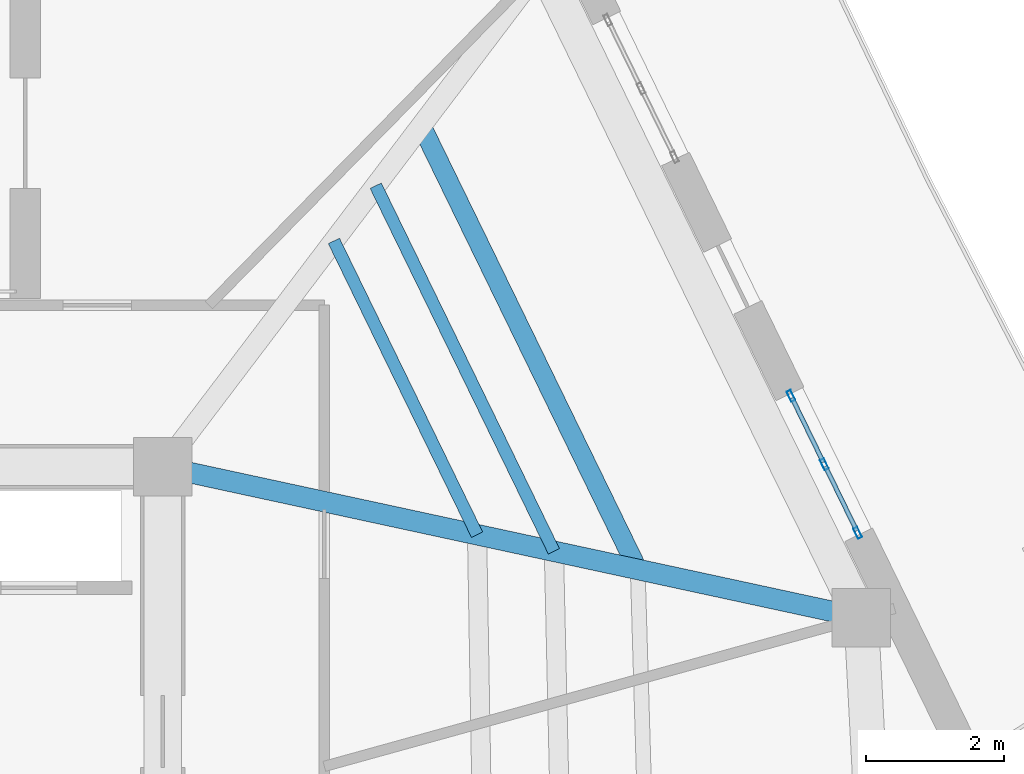
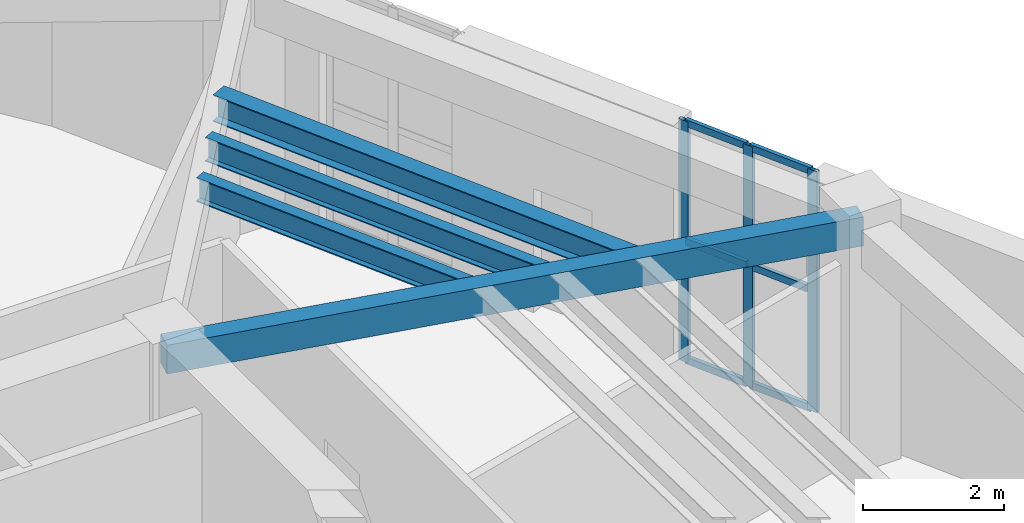
# One storey, part 6 of 15: 9 members, 4 beams, 1 element without a shape of its own.
"""IFC4 building model written with IfcOpenShell, lengths in metres."""

from ifc_helpers import new_model, si_unit, direction, frame, origin, origin_2d, place, context, subcontext, project, spatial, rectangle, hollow_rectangle, i_section, extrude, material, layer, layer_set, material_profile, profile_set, type_object, element, aggregate, save


model = new_model("IFC4")

# Units and contexts
model_context = context("Model", 3, precision=1e-05, world=origin(), true_north=direction((0.0, 1.0)))
body_context = subcontext(model_context, "Body", "Model", "MODEL_VIEW")
ifc_project = project(units=[si_unit("LENGTHUNIT", "METRE"), si_unit("AREAUNIT", "SQUARE_METRE"), si_unit("VOLUMEUNIT", "CUBIC_METRE"), si_unit("PLANEANGLEUNIT", "RADIAN"), si_unit("MASSUNIT", "GRAM", prefix="KILO")], contexts=[model_context])

# Site, building, storey
site_placement = place(None, origin())
site = spatial("IfcSite", under=ifc_project, at=site_placement, CompositionType="ELEMENT")
building_placement = place(site_placement, origin())
building = spatial("IfcBuilding", under=site, at=building_placement, Name="Kilnhurst Terrace Hotel", CompositionType="ELEMENT")
storey_placement = place(building_placement, frame((0.0, 0.0, 288.60009765625)))
storey = spatial("IfcBuildingStorey", under=building, at=storey_placement, Name="L72", CompositionType="ELEMENT", Elevation=288.60009765625)

# Beams
ifc_material_1 = material(Name="Concrete C50/60", Category="concrete")
ifc_material_profile_1 = material_profile(ifc_material_1, rectangle(XDim=0.300048828125, YDim=0.5, at=origin_2d()), Name="RC300X500")
ifc_profile_set_1 = profile_set([ifc_material_profile_1], Name="Concrete C50/60")
beam_type_1 = type_object("IfcBeamType", Name="BM-RAD-300X500", PredefinedType="BEAM", material=ifc_profile_set_1)
beam_1_placement = place(storey_placement, frame((9.0, 7.5, 3.929931640625), z_axis=(0.977438945995, -0.211218149913, 0.0), x_axis=(0.211218149913, 0.977438945995, 0.0)))
element("IfcBeam", 1, at=beam_1_placement, inside=storey, type_object=beam_type_1, Name="L72 Radial Floor Beam 5", PredefinedType="BEAM", context=body_context, shape_type="SweptSolid", body=[
    extrude(rectangle(XDim=0.300048828125, YDim=0.5, at=origin_2d()), origin(), (0.0, 0.0, 1.0), 10.392333984375),
])
ifc_material_2 = material(Name="Steel ASTM A992 Grade 50", Category="steel")
ifc_material_profile_2 = material_profile(ifc_material_2, i_section(OverallWidth=0.180908203125, OverallDepth=0.417236328125, WebThickness=0.010986328125, FlangeThickness=0.018310546875, at=origin_2d()), Name="W16X57")
ifc_profile_set_2 = profile_set([ifc_material_profile_2], Name="Steel ASTM A992 Grade 50")
beam_type_2 = type_object("IfcBeamType", Name="JST-STL-W16X57", PredefinedType="JOIST", material=ifc_profile_set_2)
beam_2_placement = place(storey_placement, frame((13.571044921875, 6.51220703125, 3.970947265625), z_axis=(-0.438107813647, 0.898922434708, 0.0), x_axis=(-0.898922434708, -0.438107813647, 0.0)))
element("IfcBeam", 2, at=beam_2_placement, inside=storey, type_object=beam_type_2, Name="L72 Secondary Floor Steel Joist IN.5", PredefinedType="JOIST", context=body_context, shape_type="SweptSolid", body=[
    extrude(i_section(OverallWidth=0.180908203125, OverallDepth=0.417236328125, WebThickness=0.010986328125, FlangeThickness=0.018310546875, at=origin_2d()), origin(), (0.0, 0.0, 1.0), 4.75244140625),
])
beam_3_placement = place(storey_placement, frame((14.6884765625, 6.270751953125, 3.970947265625), z_axis=(-0.438125112318, 0.898914003649, 0.0), x_axis=(-0.898914003649, -0.438125112318, 0.0)))
element("IfcBeam", 3, at=beam_3_placement, inside=storey, type_object=beam_type_2, Name="L72 Secondary Floor Steel Joist MID.5", PredefinedType="JOIST", context=body_context, shape_type="SweptSolid", body=[
    extrude(i_section(OverallWidth=0.180908203125, OverallDepth=0.417236328125, WebThickness=0.010986328125, FlangeThickness=0.018310546875, at=origin_2d()), origin(), (0.0, 0.0, 1.0), 5.9140625),
])
ifc_material_profile_3 = material_profile(ifc_material_2, i_section(OverallWidth=0.279296875, OverallDepth=0.462890625, WebThickness=0.0107421875, FlangeThickness=0.017333984375, at=origin_2d()), Name="W18X76")
ifc_profile_set_3 = profile_set([ifc_material_profile_3], Name="Steel ASTM A992 Grade 50")
beam_type_3 = type_object("IfcBeamType", Name="JST-STL-W18X76", PredefinedType="JOIST", material=ifc_profile_set_3)
beam_4_placement = place(storey_placement, frame((15.907470703125, 6.00732421875, 3.947998046875), z_axis=(-0.438147652742, 0.898903017237, 0.0), x_axis=(-0.898903017237, -0.438147652742, 0.0)))
element("IfcBeam", 4, at=beam_4_placement, inside=storey, type_object=beam_type_3, Name="L72 Secondary Floor Steel Joist OUT.5", PredefinedType="JOIST", context=body_context, shape_type="SweptSolid", body=[
    extrude(i_section(OverallWidth=0.279296875, OverallDepth=0.462890625, WebThickness=0.0107421875, FlangeThickness=0.017333984375, at=origin_2d()), origin(), (0.0, 0.0, 1.0), 7.181396484375),
])

# Curtain wall, members
ifc_material_3 = material(Name="Anodized Aluminium Alloy 6063-T6 and Low-E Glass", Category="aluminium")
ifc_layer = layer(ifc_material_3, 0.219970703125, Name="Anodized Aluminium Alloy 6063-T6 and Low-E Glass")
ifc_layer_set = layer_set([ifc_layer], Name="Anodized Aluminium Alloy 6063-T6 and Low-E Glass")
curtain_wall_type = type_object("IfcCurtainWallType", Name="CW-PORTAL-L72", PredefinedType="NOTDEFINED", material=ifc_layer_set)
curtain_wall_placement = place(storey_placement, origin())
curtain_wall = element("IfcCurtainWall", 5, at=curtain_wall_placement, inside=storey, type_object=curtain_wall_type, Name="L72 Curtain Wall CW-L72-F3-1", PredefinedType="NOTDEFINED")
ifc_material_4 = material(Name="Extruded Aluminium Alloy 6063-T6", Category="aluminium")
ifc_material_profile_4 = material_profile(ifc_material_4, hollow_rectangle(XDim=0.06494140625, YDim=0.1650390625, WallThickness=0.00341796875, at=origin_2d()), Name="CWM65X165")
ifc_profile_set_4 = profile_set([ifc_material_profile_4], Name="Extruded Aluminium Alloy 6063-T6")
member_type_1 = type_object("IfcMemberType", Name="MEM-CWM65X165", PredefinedType="MULLION", material=ifc_profile_set_4)
member_1_placement = place(storey_placement, frame((19.1064453125, 6.53955078125, 0.0), z_axis=(0.0, 0.0, 1.0), x_axis=(-0.898916351762, -0.438120294595, 0.0)))
member_1 = element("IfcMember", 6, at=member_1_placement, type_object=member_type_1, Name="CWP-5 mullion 1", PredefinedType="MULLION", context=body_context, shape_type="SweptSolid", body=[
    extrude(hollow_rectangle(XDim=0.06494140625, YDim=0.1650390625, WallThickness=0.00341796875, at=origin_2d()), origin(), (0.0, 0.0, 1.0), 4.179931640625),
])
member_2_placement = place(storey_placement, frame((18.621337890625, 7.53515625, 0.0), z_axis=(0.0, 0.0, 1.0), x_axis=(-0.898916351762, -0.438120294595, 0.0)))
member_2 = element("IfcMember", 7, at=member_2_placement, type_object=member_type_1, Name="CWP-5 mullion 2", PredefinedType="MULLION", context=body_context, shape_type="SweptSolid", body=[
    extrude(hollow_rectangle(XDim=0.06494140625, YDim=0.1650390625, WallThickness=0.00341796875, at=origin_2d()), origin(), (0.0, 0.0, 1.0), 4.179931640625),
])
member_3_placement = place(storey_placement, frame((18.13623046875, 8.530517578125, 0.0), z_axis=(0.0, 0.0, 1.0), x_axis=(-0.898916351762, -0.438120294595, 0.0)))
member_3 = element("IfcMember", 8, at=member_3_placement, type_object=member_type_1, Name="CWP-5 mullion 3", PredefinedType="MULLION", context=body_context, shape_type="SweptSolid", body=[
    extrude(hollow_rectangle(XDim=0.06494140625, YDim=0.1650390625, WallThickness=0.00341796875, at=origin_2d()), origin(), (0.0, 0.0, 1.0), 4.179931640625),
])
ifc_material_profile_5 = material_profile(ifc_material_4, hollow_rectangle(XDim=0.06494140625, YDim=0.1201171875, WallThickness=0.00341796875, at=origin_2d()), Name="CWT65X120")
ifc_profile_set_5 = profile_set([ifc_material_profile_5], Name="Extruded Aluminium Alloy 6063-T6")
member_type_2 = type_object("IfcMemberType", Name="MEM-CWT65X120", PredefinedType="USERDEFINED", material=ifc_profile_set_5)
member_4_placement = place(storey_placement, frame((19.09228515625, 6.56884765625, 0.032470703125), z_axis=(-0.438197516369, 0.898878710755, 0.0), x_axis=(-0.898878710755, -0.438197516369, 0.0)))
member_4 = element("IfcMember", 9, at=member_4_placement, type_object=member_type_2, Name="CWP-5 transom 1.1", ObjectType="TRANSOM", PredefinedType="USERDEFINED", context=body_context, shape_type="SweptSolid", body=[
    extrude(hollow_rectangle(XDim=0.06494140625, YDim=0.1201171875, WallThickness=0.00341796875, at=origin_2d()), origin(), (0.0, 0.0, 1.0), 1.04248046875),
])
member_5_placement = place(storey_placement, frame((19.09228515625, 6.56884765625, 2.08984375), z_axis=(-0.438197516369, 0.898878710755, 0.0), x_axis=(-0.898878710755, -0.438197516369, 0.0)))
member_5 = element("IfcMember", 10, at=member_5_placement, type_object=member_type_2, Name="CWP-5 transom 1.2", ObjectType="TRANSOM", PredefinedType="USERDEFINED", context=body_context, shape_type="SweptSolid", body=[
    extrude(hollow_rectangle(XDim=0.06494140625, YDim=0.1201171875, WallThickness=0.00341796875, at=origin_2d()), origin(), (0.0, 0.0, 1.0), 1.04248046875),
])
member_6_placement = place(storey_placement, frame((19.09228515625, 6.56884765625, 4.1474609375), z_axis=(-0.438197516369, 0.898878710755, 0.0), x_axis=(-0.898878710755, -0.438197516369, 0.0)))
member_6 = element("IfcMember", 11, at=member_6_placement, type_object=member_type_2, Name="CWP-5 transom 1.3", ObjectType="TRANSOM", PredefinedType="USERDEFINED", context=body_context, shape_type="SweptSolid", body=[
    extrude(hollow_rectangle(XDim=0.06494140625, YDim=0.1201171875, WallThickness=0.00341796875, at=origin_2d()), origin(), (0.0, 0.0, 1.0), 1.04248046875),
])
member_7_placement = place(storey_placement, frame((18.607177734375, 7.564208984375, 0.032470703125), z_axis=(-0.438105283318, 0.89892366791, 0.0), x_axis=(-0.89892366791, -0.438105283318, 0.0)))
member_7 = element("IfcMember", 12, at=member_7_placement, type_object=member_type_2, Name="CWP-5 transom 2.1", ObjectType="TRANSOM", PredefinedType="USERDEFINED", context=body_context, shape_type="SweptSolid", body=[
    extrude(hollow_rectangle(XDim=0.06494140625, YDim=0.1201171875, WallThickness=0.00341796875, at=origin_2d()), origin(), (0.0, 0.0, 1.0), 1.042724609375),
])
member_8_placement = place(storey_placement, frame((18.607177734375, 7.564208984375, 2.08984375), z_axis=(-0.438105283318, 0.89892366791, 0.0), x_axis=(-0.89892366791, -0.438105283318, 0.0)))
member_8 = element("IfcMember", 13, at=member_8_placement, type_object=member_type_2, Name="CWP-5 transom 2.2", ObjectType="TRANSOM", PredefinedType="USERDEFINED", context=body_context, shape_type="SweptSolid", body=[
    extrude(hollow_rectangle(XDim=0.06494140625, YDim=0.1201171875, WallThickness=0.00341796875, at=origin_2d()), origin(), (0.0, 0.0, 1.0), 1.042724609375),
])
member_9_placement = place(storey_placement, frame((18.607177734375, 7.564208984375, 4.1474609375), z_axis=(-0.438105283318, 0.89892366791, 0.0), x_axis=(-0.89892366791, -0.438105283318, 0.0)))
member_9 = element("IfcMember", 14, at=member_9_placement, type_object=member_type_2, Name="CWP-5 transom 2.3", ObjectType="TRANSOM", PredefinedType="USERDEFINED", context=body_context, shape_type="SweptSolid", body=[
    extrude(hollow_rectangle(XDim=0.06494140625, YDim=0.1201171875, WallThickness=0.00341796875, at=origin_2d()), origin(), (0.0, 0.0, 1.0), 1.042724609375),
])
aggregate(curtain_wall, [member_1, member_2, member_3, member_4, member_5, member_6, member_7, member_8, member_9])

save(model, "model.ifc")
